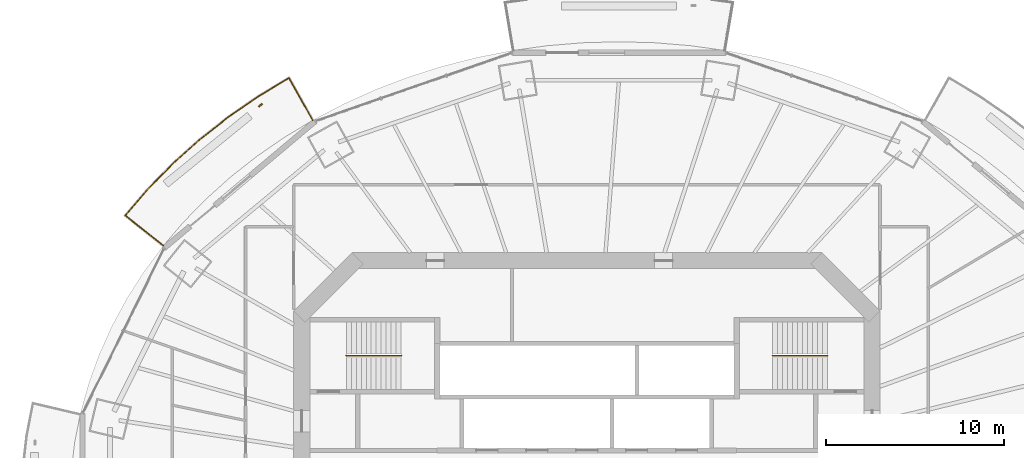
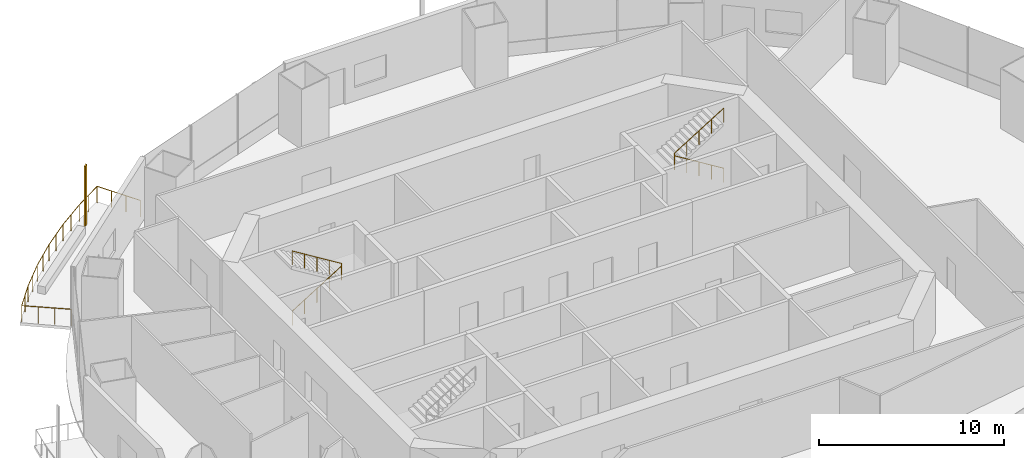
# One storey, part 16 of 19: 3 railings, 1 shading device.
"""IFC4 building model written with IfcOpenShell, lengths in metres."""

from ifc_helpers import new_model, si_unit, direction, frame, origin, origin_2d, place, context, subcontext, project, spatial, rectangle, circle, extrude, material, material_profile, profile_set, type_object, element, save


model = new_model("IFC4")

# Units and contexts
model_context = context("Model", 3, precision=1e-05, world=origin(), true_north=direction((0.0, 1.0)))
body_context = subcontext(model_context, "Body", "Model", "MODEL_VIEW")
ifc_project = project(units=[si_unit("LENGTHUNIT", "METRE"), si_unit("AREAUNIT", "SQUARE_METRE"), si_unit("VOLUMEUNIT", "CUBIC_METRE"), si_unit("PLANEANGLEUNIT", "RADIAN"), si_unit("MASSUNIT", "GRAM", prefix="KILO")], contexts=[model_context])

# Site, building, storey
site_placement = place(None, origin())
site = spatial("IfcSite", under=ifc_project, at=site_placement, CompositionType="ELEMENT")
building_placement = place(site_placement, origin())
building = spatial("IfcBuilding", under=site, at=building_placement, Name="Marenthal Gate Tower", CompositionType="ELEMENT")
storey_placement = place(building_placement, frame((0.0, 0.0, 231.60009765625)))
storey = spatial("IfcBuildingStorey", under=building, at=storey_placement, Name="L51", CompositionType="ELEMENT", Elevation=231.60009765625)

# Railings
ifc_material_1 = material(Name="Stainless steel", Category="steel")
railing_type_1 = type_object("IfcRailingType", Name="Balcony guard 1100", PredefinedType="GUARDRAIL", material=ifc_material_1)
railing_1_placement = place(storey_placement, frame((-23.76611328125, 13.843505859375, 0.0)))
element("IfcRailing", 1, at=railing_1_placement, inside=storey, type_object=railing_type_1, Name="Balcony guard L51 bay 6", PredefinedType="GUARDRAIL", context=body_context, shape_type="SweptSolid", body=[
    extrude(circle(Radius=0.02392578125, at=origin_2d()), frame((0.0, 0.0, 1.076171875), z_axis=(-0.782855020802, 0.62203005264, -0.014718356461), x_axis=(-0.622097438779, -0.78293982953, 0.0)), (0.0, 0.0, 1.0), 2.720458984375),
    extrude(circle(Radius=0.02392578125, at=origin_2d()), frame((-2.129638671875, 1.692138671875, 1.0361328125), z_axis=(0.649961690438, 0.7599669736, 0.0), x_axis=(-0.7599669736, 0.649961690438, 0.0)), (0.0, 0.0, 1.0), 1.915283203125),
    extrude(circle(Radius=0.02392578125, at=origin_2d()), frame((-0.884765625, 3.147705078125, 1.0361328125), z_axis=(0.698683190488, 0.71543119818, 0.0), x_axis=(-0.71543119818, 0.698683190488, 0.0)), (0.0, 0.0, 1.0), 2.01171875),
    extrude(circle(Radius=0.02392578125, at=origin_2d()), frame((0.520751953125, 4.5869140625, 1.0361328125), z_axis=(0.744394107791, 0.667740527665, 0.0), x_axis=(-0.667740527665, 0.744394107791, 0.0)), (0.0, 0.0, 1.0), 2.02880859375),
    extrude(circle(Radius=0.02392578125, at=origin_2d()), frame((2.031005859375, 5.941650390625, 1.0361328125), z_axis=(0.785792171054, 0.618490633648, 0.0), x_axis=(-0.618490633648, 0.785792171054, 0.0)), (0.0, 0.0, 1.0), 2.0458984375),
    extrude(circle(Radius=0.02392578125, at=origin_2d()), frame((3.638671875, 7.20703125, 1.0361328125), z_axis=(0.823243306464, 0.567688698462, 0.0), x_axis=(-0.567688698462, 0.823243306464, 0.0)), (0.0, 0.0, 1.0), 2.0625),
    extrude(circle(Radius=0.02392578125, at=origin_2d()), frame((5.336669921875, 8.3779296875, 1.0361328125), z_axis=(0.85605628785, 0.516882609528, 0.0), x_axis=(-0.516882609528, 0.85605628785, 0.0)), (0.0, 0.0, 1.0), 1.9990234375),
    extrude(circle(Radius=0.02392578125, at=origin_2d()), frame((7.0478515625, 9.4111328125, 1.0361328125), z_axis=(0.489867191078, -0.871672803179, 0.014719351289), x_axis=(0.871767246537, 0.489920266845, 0.0)), (0.0, 0.0, 1.0), 2.72021484375),
    extrude(circle(Radius=0.02099609375, at=origin_2d()), origin(), (0.0, 0.0, 1.0), 1.052001953125),
    extrude(circle(Radius=0.02099609375, at=origin_2d()), frame((-0.7099609375, 0.56396484375, -0.013427734375)), (0.0, 0.0, 1.0), 1.052001953125),
    extrude(circle(Radius=0.02099609375, at=origin_2d()), frame((-1.419677734375, 1.128173828125, -0.026611328125)), (0.0, 0.0, 1.0), 1.052001953125),
    extrude(circle(Radius=0.02099609375, at=origin_2d()), frame((-2.129638671875, 1.692138671875, -0.0400390625)), (0.0, 0.0, 1.0), 1.052001953125),
    extrude(circle(Radius=0.02099609375, at=origin_2d()), frame((-1.50732421875, 2.419921875, -0.0400390625)), (0.0, 0.0, 1.0), 1.052001953125),
    extrude(circle(Radius=0.02099609375, at=origin_2d()), frame((-0.884765625, 3.147705078125, -0.0400390625)), (0.0, 0.0, 1.0), 1.052001953125),
    extrude(circle(Radius=0.02099609375, at=origin_2d()), frame((-0.18212890625, 3.8671875, -0.0400390625)), (0.0, 0.0, 1.0), 1.052001953125),
    extrude(circle(Radius=0.02099609375, at=origin_2d()), frame((0.520751953125, 4.5869140625, -0.0400390625)), (0.0, 0.0, 1.0), 1.052001953125),
    extrude(circle(Radius=0.02099609375, at=origin_2d()), frame((1.27587890625, 5.26416015625, -0.0400390625)), (0.0, 0.0, 1.0), 1.052001953125),
    extrude(circle(Radius=0.02099609375, at=origin_2d()), frame((2.031005859375, 5.941650390625, -0.0400390625)), (0.0, 0.0, 1.0), 1.052001953125),
    extrude(circle(Radius=0.02099609375, at=origin_2d()), frame((2.8349609375, 6.57421875, -0.0400390625)), (0.0, 0.0, 1.0), 1.052001953125),
    extrude(circle(Radius=0.02099609375, at=origin_2d()), frame((3.638671875, 7.20703125, -0.0400390625)), (0.0, 0.0, 1.0), 1.052001953125),
    extrude(circle(Radius=0.02099609375, at=origin_2d()), frame((4.48779296875, 7.79248046875, -0.0400390625)), (0.0, 0.0, 1.0), 1.052001953125),
    extrude(circle(Radius=0.02099609375, at=origin_2d()), frame((5.336669921875, 8.3779296875, -0.0400390625)), (0.0, 0.0, 1.0), 1.052001953125),
    extrude(circle(Radius=0.02099609375, at=origin_2d()), frame((6.1923828125, 8.89453125, -0.0400390625)), (0.0, 0.0, 1.0), 1.052001953125),
    extrude(circle(Radius=0.02099609375, at=origin_2d()), frame((7.0478515625, 9.4111328125, -0.0400390625)), (0.0, 0.0, 1.0), 1.052001953125),
    extrude(circle(Radius=0.02099609375, at=origin_2d()), frame((7.491943359375, 8.620849609375, -0.026611328125)), (0.0, 0.0, 1.0), 1.052001953125),
    extrude(circle(Radius=0.02099609375, at=origin_2d()), frame((7.936279296875, 7.830322265625, -0.013427734375)), (0.0, 0.0, 1.0), 1.052001953125),
    extrude(circle(Radius=0.02099609375, at=origin_2d()), frame((8.38037109375, 7.0400390625, 0.0)), (0.0, 0.0, 1.0), 1.052001953125),
])
ifc_material_2 = material(Name="Stainless steel", Category="steel")
railing_type_2 = type_object("IfcRailingType", Name="Stair handrail", PredefinedType="HANDRAIL", material=ifc_material_2)
railing_2_placement = place(storey_placement, frame((-13.5, 7.675048828125, 0.1728515625)))
element("IfcRailing", 2, at=railing_2_placement, inside=storey, type_object=railing_type_2, Name="Handrail ST1", PredefinedType="HANDRAIL", context=body_context, shape_type="SweptSolid", body=[
    extrude(circle(Radius=0.0224609375, at=origin_2d()), frame((0.0, 0.0, 0.927490234375), z_axis=(0.850835241893, 0.0, 0.525432575268), x_axis=(0.0, 1.0, 0.0)), (0.0, 0.0, 1.0), 3.6201171875),
    extrude(circle(Radius=0.0224609375, at=origin_2d()), frame((3.080078125, 0.0, 2.82958984375), z_axis=(0.0, 0.0, 1.0), x_axis=(1.0, 0.0, 0.0)), (0.0, 0.0, 1.0), 0.1728515625),
    extrude(circle(Radius=0.0224609375, at=origin_2d()), frame((3.080078125, 0.0, 3.00244140625), z_axis=(-0.850835241893, 0.0, 0.525432575268), x_axis=(0.0, -1.0, 0.0)), (0.0, 0.0, 1.0), 3.6201171875),
    extrude(circle(Radius=0.02001953125, at=origin_2d()), origin(), (0.0, 0.0, 1.0), 0.905029296875),
    extrude(circle(Radius=0.02001953125, at=origin_2d()), frame((0.77001953125, 0.0, 0.4755859375)), (0.0, 0.0, 1.0), 0.905029296875),
    extrude(circle(Radius=0.02001953125, at=origin_2d()), frame((1.5400390625, 0.0, 0.951171875)), (0.0, 0.0, 1.0), 0.905029296875),
    extrude(circle(Radius=0.02001953125, at=origin_2d()), frame((2.31005859375, 0.0, 1.426513671875)), (0.0, 0.0, 1.0), 0.905029296875),
    extrude(circle(Radius=0.02001953125, at=origin_2d()), frame((3.080078125, 0.0, 1.902099609375)), (0.0, 0.0, 1.0), 0.905029296875),
    extrude(circle(Radius=0.02001953125, at=origin_2d()), frame((3.080078125, 0.0, 2.074951171875)), (0.0, 0.0, 1.0), 0.905029296875),
    extrude(circle(Radius=0.02001953125, at=origin_2d()), frame((2.31005859375, 0.0, 2.550537109375)), (0.0, 0.0, 1.0), 0.905029296875),
    extrude(circle(Radius=0.02001953125, at=origin_2d()), frame((1.5400390625, 0.0, 3.02587890625)), (0.0, 0.0, 1.0), 0.905029296875),
    extrude(circle(Radius=0.02001953125, at=origin_2d()), frame((0.77001953125, 0.0, 3.50146484375)), (0.0, 0.0, 1.0), 0.905029296875),
    extrude(circle(Radius=0.02001953125, at=origin_2d()), frame((0.0, 0.0, 3.97705078125)), (0.0, 0.0, 1.0), 0.905029296875),
])
railing_3_placement = place(storey_placement, frame((13.5, 7.675048828125, 0.1728515625)))
element("IfcRailing", 3, at=railing_3_placement, inside=storey, type_object=railing_type_2, Name="Handrail ST3", PredefinedType="HANDRAIL", context=body_context, shape_type="SweptSolid", body=[
    extrude(circle(Radius=0.0224609375, at=origin_2d()), frame((0.0, 0.0, 0.927490234375), z_axis=(-0.850835241893, 0.0, 0.525432575268), x_axis=(0.0, -1.0, 0.0)), (0.0, 0.0, 1.0), 3.6201171875),
    extrude(circle(Radius=0.0224609375, at=origin_2d()), frame((-3.080078125, 0.0, 2.82958984375), z_axis=(0.0, 0.0, 1.0), x_axis=(1.0, 0.0, 0.0)), (0.0, 0.0, 1.0), 0.1728515625),
    extrude(circle(Radius=0.0224609375, at=origin_2d()), frame((-3.080078125, 0.0, 3.00244140625), z_axis=(0.850835241893, 0.0, 0.525432575268), x_axis=(0.0, 1.0, 0.0)), (0.0, 0.0, 1.0), 3.6201171875),
    extrude(circle(Radius=0.02001953125, at=origin_2d()), origin(), (0.0, 0.0, 1.0), 0.905029296875),
    extrude(circle(Radius=0.02001953125, at=origin_2d()), frame((-0.77001953125, 0.0, 0.4755859375)), (0.0, 0.0, 1.0), 0.905029296875),
    extrude(circle(Radius=0.02001953125, at=origin_2d()), frame((-1.5400390625, 0.0, 0.951171875)), (0.0, 0.0, 1.0), 0.905029296875),
    extrude(circle(Radius=0.02001953125, at=origin_2d()), frame((-2.31005859375, 0.0, 1.426513671875)), (0.0, 0.0, 1.0), 0.905029296875),
    extrude(circle(Radius=0.02001953125, at=origin_2d()), frame((-3.080078125, 0.0, 1.902099609375)), (0.0, 0.0, 1.0), 0.905029296875),
    extrude(circle(Radius=0.02001953125, at=origin_2d()), frame((-3.080078125, 0.0, 2.074951171875)), (0.0, 0.0, 1.0), 0.905029296875),
    extrude(circle(Radius=0.02001953125, at=origin_2d()), frame((-2.31005859375, 0.0, 2.550537109375)), (0.0, 0.0, 1.0), 0.905029296875),
    extrude(circle(Radius=0.02001953125, at=origin_2d()), frame((-1.5400390625, 0.0, 3.02587890625)), (0.0, 0.0, 1.0), 0.905029296875),
    extrude(circle(Radius=0.02001953125, at=origin_2d()), frame((-0.77001953125, 0.0, 3.50146484375)), (0.0, 0.0, 1.0), 0.905029296875),
    extrude(circle(Radius=0.02001953125, at=origin_2d()), frame((0.0, 0.0, 3.97705078125)), (0.0, 0.0, 1.0), 0.905029296875),
])

# Shading device
ifc_material_3 = material(Name="Terracotta", Category="masonry")
ifc_material_profile = material_profile(ifc_material_3, rectangle(XDim=0.25, YDim=0.080078125, at=origin_2d()), Name="Terracotta baguette 250x80")
ifc_profile_set = profile_set([ifc_material_profile], Name="Terracotta")
shading_device_type = type_object("IfcShadingDeviceType", Name="Terracotta BAGUETTE SCREEN 250x80", PredefinedType="USERDEFINED", material=ifc_profile_set)
shading_device_placement = place(storey_placement, frame((-18.320556640625, 21.72802734375, -0.0400390625), z_axis=(0.0, 0.0, 1.0), x_axis=(-0.765550876952, -0.643375360732, 0.0)))
element("IfcShadingDevice", 4, at=shading_device_placement, inside=storey, type_object=shading_device_type, Name="Terracotta BAGUETTE L51 bay 6L", ObjectType="BAGUETTE SCREEN", PredefinedType="USERDEFINED", context=body_context, shape_type="SweptSolid", body=[
    extrude(rectangle(XDim=0.25, YDim=0.080078125, at=origin_2d()), origin(), (0.0, 0.0, 1.0), 3.969970703125),
])

save(model, "model.ifc")
